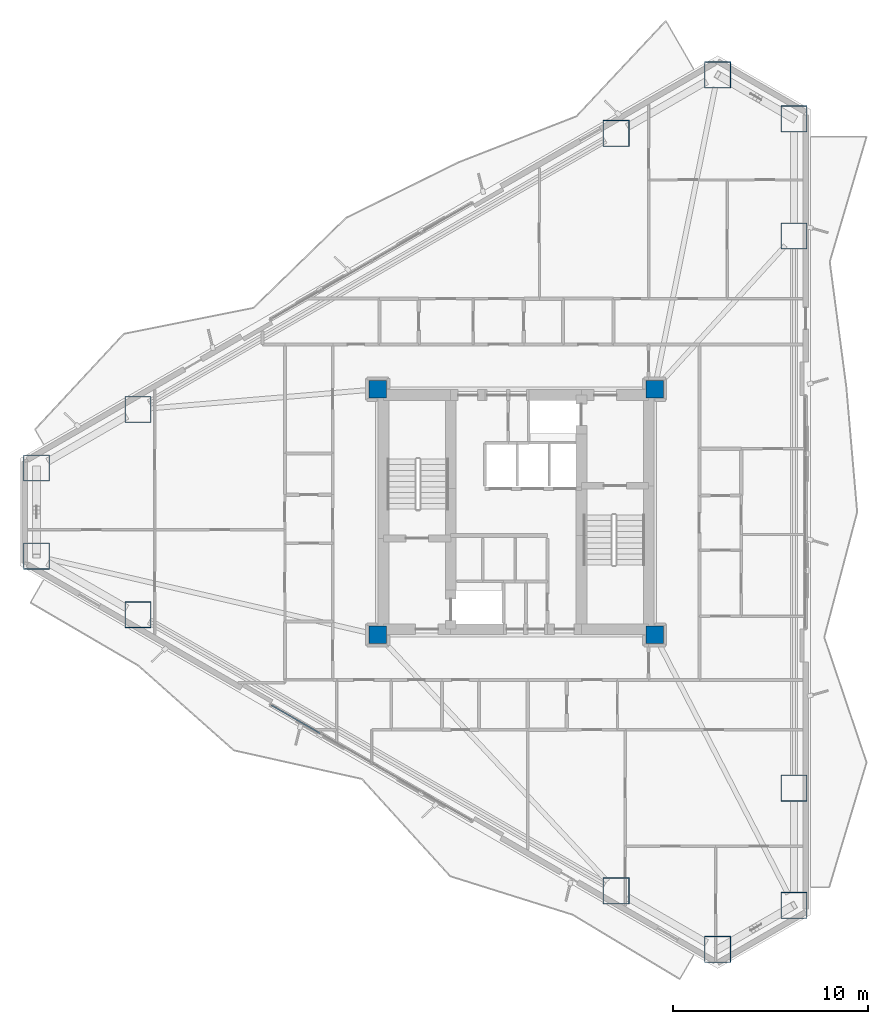
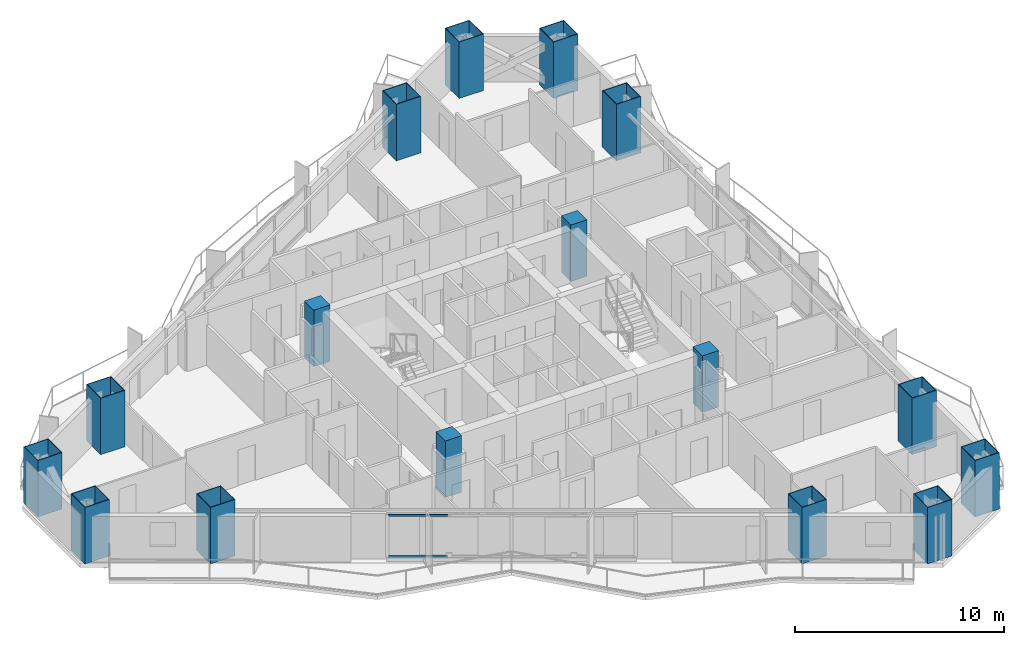
# One storey, part 1 of 19: 16 columns, 2 members, 1 element without a shape of its own.
"""IFC4 building model written with IfcOpenShell, lengths in metres."""

from ifc_helpers import new_model, si_unit, direction, frame, origin, origin_2d, place, context, subcontext, project, spatial, rectangle, hollow_rectangle, extrude, material, layer, layer_set, material_profile, profile_set, type_object, element, aggregate, save


model = new_model("IFC4")

# Units and contexts
model_context = context("Model", 3, precision=1e-05, world=origin(), true_north=direction((0.0, 1.0)))
body_context = subcontext(model_context, "Body", "Model", "MODEL_VIEW")
ifc_project = project(units=[si_unit("LENGTHUNIT", "METRE"), si_unit("AREAUNIT", "SQUARE_METRE"), si_unit("VOLUMEUNIT", "CUBIC_METRE"), si_unit("PLANEANGLEUNIT", "RADIAN"), si_unit("MASSUNIT", "GRAM", prefix="KILO")], contexts=[model_context])

# Site, building, storey
site_placement = place(None, origin())
site = spatial("IfcSite", under=ifc_project, at=site_placement, CompositionType="ELEMENT")
building_placement = place(site_placement, origin())
building = spatial("IfcBuilding", under=site, at=building_placement, Name="Mersakhor Tower and Convention Hall", CompositionType="ELEMENT")
storey_placement = place(building_placement, frame((0.0, 0.0, 29.10009765625)))
storey = spatial("IfcBuildingStorey", under=building, at=storey_placement, Name="L07", CompositionType="ELEMENT", Elevation=29.10009765625)

# Columns
ifc_material_1 = material(Name="Concrete C70/85 in S460M steel box", Category="concrete")
ifc_material_profile_1 = material_profile(ifc_material_1, hollow_rectangle(XDim=1.35009765625, YDim=1.35009765625, WallThickness=0.035888671875, at=origin_2d()), Name="SHS 1350x1350x36")
ifc_profile_set_1 = profile_set([ifc_material_profile_1], Name="Concrete C70/85 in S460M steel box")
column_type_1 = type_object("IfcColumnType", Name="COL-CFT-1350", PredefinedType="COLUMN", material=ifc_profile_set_1)
for number, where, z_axis, x_axis, name in (
    (1, (4.4130859375, 29.00927734375, 0.0), (0.0, 0.0, 1.0), (1.0, 0.0, 0.0), "L07 Perimeter Mega-Column MC-01"),
    (2, (9.61669921875, 32.013671875, 0.0), (0.0, 0.0, 1.0), (1.0, 0.0, 0.0), "L07 Perimeter Mega-Column MC-02"),
    (3, (34.13330078125, 46.168212890625, 0.0), (0.0, 0.0, 1.0), (1.0, 0.0, 0.0), "L07 Perimeter Mega-Column MC-03"),
    (4, (39.3369140625, 49.172607421875, 0.0), (0.0, 0.0, 1.0), (1.0, 0.0, 0.0), "L07 Perimeter Mega-Column MC-04"),
    (5, (43.25, 46.913330078125, 0.0), (0.0, 0.0, 1.0), (1.0, 0.0, 0.0), "L07 Perimeter Mega-Column MC-05"),
    (6, (43.25, 40.904541015625, 0.0), (0.0, 0.0, 1.0), (1.0, 0.0, 0.0), "L07 Perimeter Mega-Column MC-06"),
    (7, (43.25, 12.595458984375, 0.0), (0.0, 0.0, 1.0), (1.0, 0.0, 0.0), "L07 Perimeter Mega-Column MC-07"),
    (8, (43.25, 6.586669921875, 0.0), (0.0, 0.0, 1.0), (1.0, 0.0, 0.0), "L07 Perimeter Mega-Column MC-08"),
    (9, (39.3369140625, 4.327392578125, 0.0), (0.0, 0.0, 1.0), (1.0, 0.0, 0.0), "L07 Perimeter Mega-Column MC-09"),
    (10, (34.13330078125, 7.331787109375, 0.0), (0.0, 0.0, 1.0), (1.0, 0.0, 0.0), "L07 Perimeter Mega-Column MC-10"),
    (11, (9.61669921875, 21.486328125, 0.0), (0.0, 0.0, 1.0), (1.0, 0.0, 0.0), "L07 Perimeter Mega-Column MC-11"),
    (12, (4.4130859375, 24.49072265625, 0.0), (0.0, 0.0, 1.0), (1.0, 0.0, 0.0), "L07 Perimeter Mega-Column MC-12"),
):
    element("IfcColumn", number, at=place(storey_placement, frame(where, z_axis=z_axis, x_axis=x_axis)), inside=storey, type_object=column_type_1, Name=name, PredefinedType="COLUMN", context=body_context, shape_type="SweptSolid", body=[
        extrude(hollow_rectangle(XDim=1.35009765625, YDim=1.35009765625, WallThickness=0.035888671875, at=origin_2d()), origin(), (0.0, 0.0, 1.0), 3.2998046875),
    ])
ifc_material_2 = material(Name="Concrete C60/75", Category="concrete")
ifc_material_profile_2 = material_profile(ifc_material_2, rectangle(XDim=0.89990234375, YDim=0.89990234375, at=origin_2d()), Name="RC 900x900")
ifc_profile_set_2 = profile_set([ifc_material_profile_2], Name="Concrete C60/75")
column_type_2 = type_object("IfcColumnType", Name="COL-RC-900", PredefinedType="COLUMN", material=ifc_profile_set_2)
for number, where, z_axis, x_axis, name in (
    (13, (21.89990234375, 20.449951171875, 0.0), (0.0, 0.0, 1.0), (1.0, 0.0, 0.0), "L07 Core Corner Column CC-1"),
    (14, (21.89990234375, 33.050048828125, 0.0), (0.0, 0.0, 1.0), (1.0, 0.0, 0.0), "L07 Core Corner Column CC-2"),
    (15, (36.10009765625, 33.050048828125, 0.0), (0.0, 0.0, 1.0), (1.0, 0.0, 0.0), "L07 Core Corner Column CC-3"),
    (16, (36.10009765625, 20.449951171875, 0.0), (0.0, 0.0, 1.0), (1.0, 0.0, 0.0), "L07 Core Corner Column CC-4"),
):
    element("IfcColumn", number, at=place(storey_placement, frame(where, z_axis=z_axis, x_axis=x_axis)), inside=storey, type_object=column_type_2, Name=name, PredefinedType="COLUMN", context=body_context, shape_type="SweptSolid", body=[
        extrude(rectangle(XDim=0.89990234375, YDim=0.89990234375, at=origin_2d()), origin(), (0.0, 0.0, 1.0), 3.2998046875),
    ])

# Curtain wall, members
ifc_material_3 = material(Name="Dark solar low-E aluminium curtain wall", Category="aluminium")
ifc_layer = layer(ifc_material_3, 0.159912109375)
ifc_layer_set = layer_set([ifc_layer], Name="Dark solar low-E aluminium curtain wall")
curtain_wall_type = type_object("IfcCurtainWallType", Name="CW-SYS-01", PredefinedType="USERDEFINED", material=ifc_layer_set)
curtain_wall_placement = place(storey_placement, origin())
curtain_wall = element("IfcCurtainWall", 17, at=curtain_wall_placement, inside=storey, type_object=curtain_wall_type, Name="L07 Dark-Glass Curtain Wall F3-B2", ObjectType="CURTAIN WALL", PredefinedType="USERDEFINED")
ifc_material_4 = material(Name="Anodised aluminium EN AW-6063 T6", Category="aluminium")
ifc_material_profile_3 = material_profile(ifc_material_4, hollow_rectangle(XDim=0.06005859375, YDim=0.1201171875, WallThickness=0.0048828125, at=origin_2d()), Name="RHS 120x60x5")
ifc_profile_set_3 = profile_set([ifc_material_profile_3], Name="Anodised aluminium EN AW-6063 T6")
member_type = type_object("IfcMemberType", Name="CWT-120x60", PredefinedType="USERDEFINED", material=ifc_profile_set_3)
member_1_placement = place(storey_placement, frame((18.9501953125, 15.40478515625, 0.22998046875), z_axis=(-0.866002100865, 0.500040359669, 0.0), x_axis=(-0.500040359669, -0.866002100865, 0.0)))
member_1 = element("IfcMember", 18, at=member_1_placement, type_object=member_type, Name="CW-01 transom 4.1", ObjectType="TRANSOM", PredefinedType="USERDEFINED", context=body_context, shape_type="SweptSolid", body=[
    extrude(hollow_rectangle(XDim=0.06005859375, YDim=0.1201171875, WallThickness=0.0048828125, at=origin_2d()), origin(), (0.0, 0.0, 1.0), 2.880615234375),
])
member_2_placement = place(storey_placement, frame((18.9501953125, 15.40478515625, 2.6298828125), z_axis=(-0.866002100865, 0.500040359669, 0.0), x_axis=(-0.500040359669, -0.866002100865, 0.0)))
member_2 = element("IfcMember", 19, at=member_2_placement, type_object=member_type, Name="CW-01 transom 4.2", ObjectType="TRANSOM", PredefinedType="USERDEFINED", context=body_context, shape_type="SweptSolid", body=[
    extrude(hollow_rectangle(XDim=0.06005859375, YDim=0.1201171875, WallThickness=0.0048828125, at=origin_2d()), origin(), (0.0, 0.0, 1.0), 2.880615234375),
])
aggregate(curtain_wall, [member_1, member_2])

save(model, "model.ifc")
